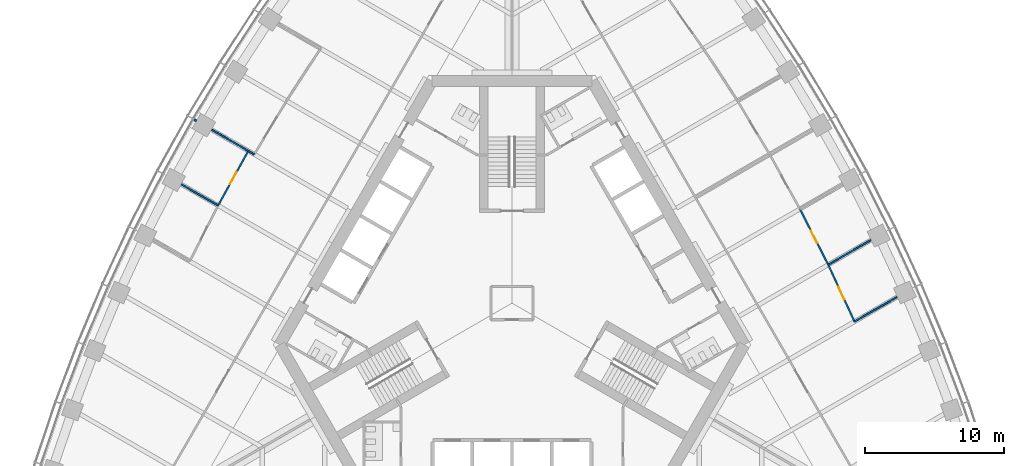
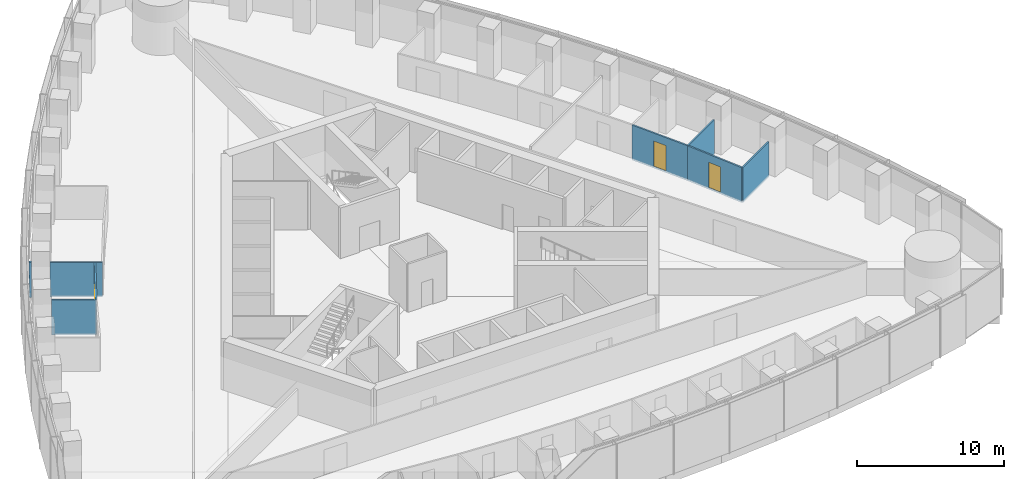
# One storey, part 14 of 21: 8 walls, 3 doors, 3 openings.
"""IFC4 building model written with IfcOpenShell, lengths in metres."""

from ifc_helpers import new_model, si_unit, direction, frame, frame_2d, origin, place, context, subcontext, project, spatial, rectangle, extrude, material, layer, layer_set, type_object, element, fill, save


model = new_model("IFC4")

# Units and contexts
model_context = context("Model", 3, precision=1e-05, world=origin(), true_north=direction((0.0, 1.0)))
body_context = subcontext(model_context, "Body", "Model", "MODEL_VIEW")
ifc_project = project(units=[si_unit("LENGTHUNIT", "METRE"), si_unit("AREAUNIT", "SQUARE_METRE"), si_unit("VOLUMEUNIT", "CUBIC_METRE"), si_unit("PLANEANGLEUNIT", "RADIAN"), si_unit("MASSUNIT", "GRAM", prefix="KILO")], contexts=[model_context])

# Site, building, storey
site_placement = place(None, origin())
site = spatial("IfcSite", under=ifc_project, at=site_placement, CompositionType="ELEMENT")
building_placement = place(site_placement, origin())
building = spatial("IfcBuilding", under=site, at=building_placement, Name="Trefoil Bronze Tower", CompositionType="ELEMENT")
storey_placement = place(building_placement, frame((0.0, 0.0, 145.10009765625)))
storey = spatial("IfcBuildingStorey", under=building, at=storey_placement, Name="L33", CompositionType="ELEMENT", Elevation=145.10009765625)

# Wall, opening, door
ifc_material_1 = material(Name="Glazed partition", Category="glass")
ifc_layer_1 = layer(ifc_material_1, 0.1201171875)
ifc_layer_set_1 = layer_set([ifc_layer_1], Name="Glazed partition 120")
wall_type_1 = type_object("IfcWallType", Name="Glazed partition 120", PredefinedType="PARTITIONING", material=ifc_layer_set_1)
wall_1_placement = place(storey_placement, frame((24.692138671875, -1.33251953125, 0.0), z_axis=(0.0, 0.0, 1.0), x_axis=(-0.41992827805, 0.90755729367, 0.0)))
wall_1 = element("IfcWall", 1, at=wall_1_placement, inside=storey, type_object=wall_type_1, Name="Partition F2 L33", PredefinedType="PARTITIONING", context=body_context, shape_type="SweptSolid", body=[
    extrude(rectangle(XDim=4.5185546875, YDim=0.1201171875, at=frame_2d((2.25927734375, 0.0))), origin(), (0.0, 0.0, 1.0), 2.89990234375),
])
opening_1_placement = place(wall_1_placement, frame((1.75, 0.0, 0.14990234375)))
opening_1 = element("IfcOpeningElement", 2, at=opening_1_placement, cuts=wall_1, Name="Opening D9", PredefinedType="OPENING", context=body_context, shape_type="SweptSolid", body=[
    extrude(rectangle(XDim=1.0, YDim=2.10009765625, at=frame_2d((0.5, 1.050048828125))), frame((0.0, 0.070068359375, 0.0), z_axis=(0.0, -1.0, 0.0), x_axis=(1.0, 0.0, 0.0)), (0.0, 0.0, 1.0), 0.14013671875),
])
ifc_material_2 = material(Name="Glazed timber door", Category="wood")
door_type = type_object("IfcDoorType", Name="Meeting room door 1000", OperationType="SINGLE_SWING_LEFT", PredefinedType="DOOR", material=ifc_material_2)
door_1_placement = place(opening_1_placement, frame((1.0, 0.0, 0.0), z_axis=(0.0, 0.0, 1.0), x_axis=(-1.0, 0.0, 0.0)))
door_1 = element("IfcDoor", 3, at=door_1_placement, inside=storey, type_object=door_type, Name="Meeting room door F2 L33", OperationType="SINGLE_SWING_RIGHT", OverallHeight=2.10009765625, OverallWidth=1.0, PredefinedType="DOOR", context=body_context, shape_type="SweptSolid", body=[
    extrude(rectangle(XDim=1.0, YDim=2.10009765625, at=frame_2d((0.5, 1.050048828125))), frame((0.0, 0.02490234375, 0.0), z_axis=(0.0, -1.0, 0.0), x_axis=(1.0, 0.0, 0.0)), (0.0, 0.0, 1.0), 0.050048828125),
])
fill(opening_1, door_1)

wall_2_placement = place(storey_placement, frame((22.794677734375, 2.768310546875, 0.0), z_axis=(0.0, 0.0, 1.0), x_axis=(-0.452471679136, 0.891778772779, 0.0)))
wall_2 = element("IfcWall", 4, at=wall_2_placement, inside=storey, type_object=wall_type_1, Name="Partition F2 L33", PredefinedType="PARTITIONING", context=body_context, shape_type="SweptSolid", body=[
    extrude(rectangle(XDim=4.506591796875, YDim=0.1201171875, at=frame_2d((2.25341796875, 0.0))), origin(), (0.0, 0.0, 1.0), 2.89990234375),
])
opening_2_placement = place(wall_2_placement, frame((1.75, 0.0, 0.14990234375)))
opening_2 = element("IfcOpeningElement", 5, at=opening_2_placement, cuts=wall_2, Name="Opening D9", PredefinedType="OPENING", context=body_context, shape_type="SweptSolid", body=[
    extrude(rectangle(XDim=1.0, YDim=2.10009765625, at=frame_2d((0.5, 1.050048828125))), frame((0.0, 0.070068359375, 0.0), z_axis=(0.0, -1.0, 0.0), x_axis=(1.0, 0.0, 0.0)), (0.0, 0.0, 1.0), 0.14013671875),
])
door_2_placement = place(opening_2_placement, frame((1.0, 0.0, 0.0), z_axis=(0.0, 0.0, 1.0), x_axis=(-1.0, 0.0, 0.0)))
door_2 = element("IfcDoor", 6, at=door_2_placement, inside=storey, type_object=door_type, Name="Meeting room door F2 L33", OperationType="SINGLE_SWING_RIGHT", OverallHeight=2.10009765625, OverallWidth=1.0, PredefinedType="DOOR", context=body_context, shape_type="SweptSolid", body=[
    extrude(rectangle(XDim=1.0, YDim=2.10009765625, at=frame_2d((0.5, 1.050048828125))), frame((0.0, 0.02490234375, 0.0), z_axis=(0.0, -1.0, 0.0), x_axis=(1.0, 0.0, 0.0)), (0.0, 0.0, 1.0), 0.050048828125),
])
fill(opening_2, door_2)

# Walls
wall_3_placement = place(storey_placement, frame((24.692138671875, -1.33251953125, 0.0), z_axis=(0.0, 0.0, 1.0), x_axis=(0.866021192743, 0.500007293666, 0.0)))
element("IfcWall", 7, at=wall_3_placement, inside=storey, type_object=wall_type_1, Name="Partition F2 L33", PredefinedType="PARTITIONING", context=body_context, shape_type="SweptSolid", body=[
    extrude(rectangle(XDim=3.53662109375, YDim=0.1201171875, at=frame_2d((1.768310546875, 0.0))), origin(), (0.0, 0.0, 1.0), 2.89990234375),
])
wall_4_placement = place(storey_placement, frame((22.794677734375, 2.768310546875, 0.0), z_axis=(0.0, 0.0, 1.0), x_axis=(0.866045526189, 0.499965145353, 0.0)))
element("IfcWall", 8, at=wall_4_placement, inside=storey, type_object=wall_type_1, Name="Partition F2 L33", PredefinedType="PARTITIONING", context=body_context, shape_type="SweptSolid", body=[
    extrude(rectangle(XDim=3.541259765625, YDim=0.1201171875, at=frame_2d((1.7705078125, 0.0))), origin(), (0.0, 0.0, 1.0), 2.89990234375),
])

# Wall, opening, door
wall_5_placement = place(storey_placement, frame((-19.009033203125, 10.974853515625, 0.0), z_axis=(0.0, 0.0, 1.0), x_axis=(-0.484292898211, -0.874905931368, 0.0)))
wall_5 = element("IfcWall", 9, at=wall_5_placement, inside=storey, type_object=wall_type_1, Name="Partition F3 L33", PredefinedType="PARTITIONING", context=body_context, shape_type="SweptSolid", body=[
    extrude(rectangle(XDim=4.500732421875, YDim=0.1201171875, at=frame_2d((2.25048828125, 0.0))), origin(), (0.0, 0.0, 1.0), 2.89990234375),
])
opening_3_placement = place(wall_5_placement, frame((1.75, 0.0, 0.14990234375)))
opening_3 = element("IfcOpeningElement", 10, at=opening_3_placement, cuts=wall_5, Name="Opening D9", PredefinedType="OPENING", context=body_context, shape_type="SweptSolid", body=[
    extrude(rectangle(XDim=1.0, YDim=2.10009765625, at=frame_2d((0.5, 1.050048828125))), frame((0.0, 0.070068359375, 0.0), z_axis=(0.0, -1.0, 0.0), x_axis=(1.0, 0.0, 0.0)), (0.0, 0.0, 1.0), 0.14013671875),
])
door_3_placement = place(opening_3_placement, frame((1.0, 0.0, 0.0), z_axis=(0.0, 0.0, 1.0), x_axis=(-1.0, 0.0, 0.0)))
door_3 = element("IfcDoor", 11, at=door_3_placement, inside=storey, type_object=door_type, Name="Project room door F3 L33", OperationType="SINGLE_SWING_RIGHT", OverallHeight=2.10009765625, OverallWidth=1.0, PredefinedType="DOOR", context=body_context, shape_type="SweptSolid", body=[
    extrude(rectangle(XDim=1.0, YDim=2.10009765625, at=frame_2d((0.5, 1.050048828125))), frame((0.0, 0.02490234375, 0.0), z_axis=(0.0, -1.0, 0.0), x_axis=(1.0, 0.0, 0.0)), (0.0, 0.0, 1.0), 0.050048828125),
])
fill(opening_3, door_3)

# Walls
wall_6_placement = place(storey_placement, frame((-18.575927734375, 10.724853515625, 0.0), z_axis=(0.0, 0.0, 1.0), x_axis=(-0.866030760678, 0.499990721473, 0.0)))
element("IfcWall", 12, at=wall_6_placement, inside=storey, type_object=wall_type_1, Name="Partition F3 L33", PredefinedType="PARTITIONING", context=body_context, shape_type="SweptSolid", body=[
    extrude(rectangle(XDim=3.544921875, YDim=0.1201171875, at=frame_2d((1.7724609375, 0.0))), origin(), (0.0, 0.0, 1.0), 2.89990234375),
])
wall_7_placement = place(storey_placement, frame((-21.188720703125, 7.037109375, 0.0), z_axis=(0.0, 0.0, 1.0), x_axis=(-0.86603332906, 0.499986272769, 0.0)))
element("IfcWall", 13, at=wall_7_placement, inside=storey, type_object=wall_type_1, Name="Partition F3 L33", PredefinedType="PARTITIONING", context=body_context, shape_type="SweptSolid", body=[
    extrude(rectangle(XDim=3.0439453125, YDim=0.1201171875, at=frame_2d((1.52197265625, 0.0))), origin(), (0.0, 0.0, 1.0), 2.89990234375),
])
ifc_material_3 = material(Name="Gypsum board on steel studs", Category="steel")
ifc_layer_2 = layer(ifc_material_3, 0.14990234375)
ifc_layer_set_2 = layer_set([ifc_layer_2], Name="Partition 150")
wall_type_2 = type_object("IfcWallType", Name="Partition 150", PredefinedType="PARTITIONING", material=ifc_layer_set_2)
wall_8_placement = place(storey_placement, frame((-22.758056640625, 13.139404296875, 0.0), z_axis=(0.0, 0.0, 1.0), x_axis=(-0.866063163075, 0.499934593286, 0.0)))
element("IfcWall", 14, at=wall_8_placement, inside=storey, type_object=wall_type_2, Name="Partition F3 L33", PredefinedType="PARTITIONING", context=body_context, shape_type="SweptSolid", body=[
    extrude(rectangle(XDim=0.166015625, YDim=0.14990234375, at=frame_2d((0.0830078125, 0.0))), origin(), (0.0, 0.0, 1.0), 2.89990234375),
])

save(model, "model.ifc")
